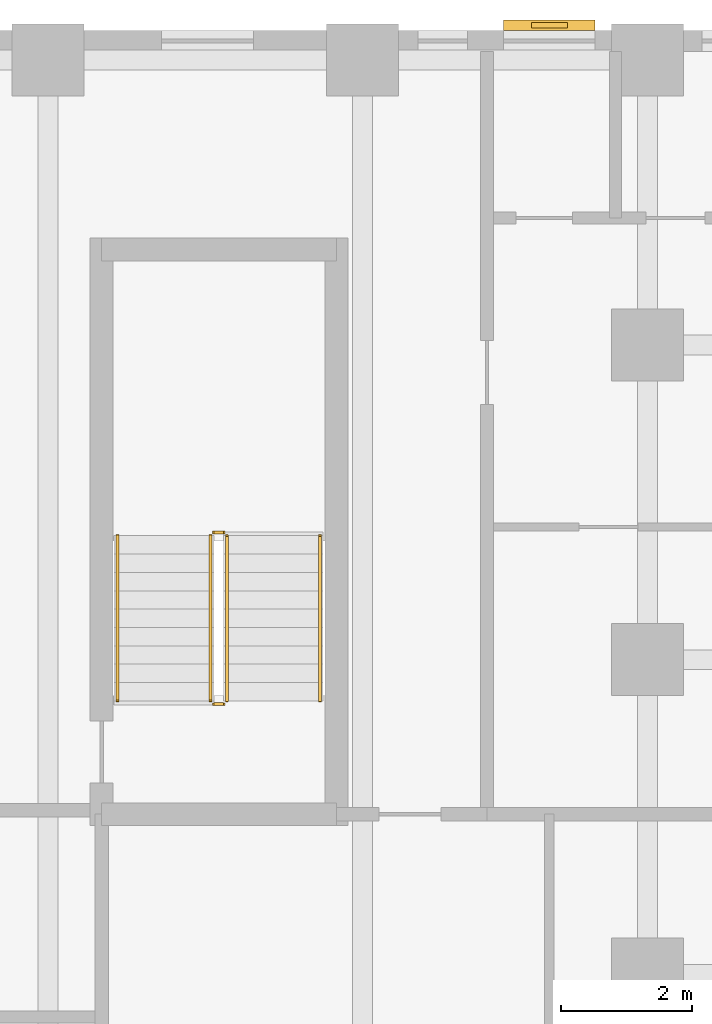
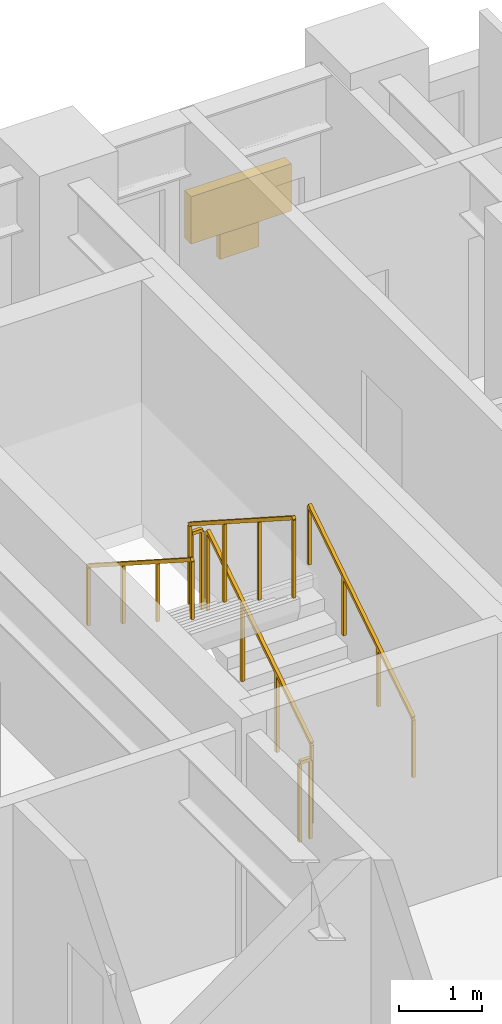
# One storey, part 11 of 11: 6 railings, 2 shading devices.
"""IFC4 building model written with IfcOpenShell, lengths in metres."""

from ifc_helpers import new_model, si_unit, direction, frame, origin, origin_2d, place, context, subcontext, project, spatial, rectangle, extrude, material, type_object, element, save


model = new_model("IFC4")

# Units and contexts
model_context = context("Model", 3, precision=1e-05, world=origin(), true_north=direction((0.0, 1.0)))
body_context = subcontext(model_context, "Body", "Model", "MODEL_VIEW")
ifc_project = project(units=[si_unit("LENGTHUNIT", "METRE"), si_unit("AREAUNIT", "SQUARE_METRE"), si_unit("VOLUMEUNIT", "CUBIC_METRE"), si_unit("PLANEANGLEUNIT", "RADIAN"), si_unit("MASSUNIT", "GRAM", prefix="KILO")], contexts=[model_context])

# Site, building, storey
site_placement = place(None, origin())
site = spatial("IfcSite", under=ifc_project, at=site_placement, CompositionType="ELEMENT")
building_placement = place(site_placement, origin())
building = spatial("IfcBuilding", under=site, at=building_placement, Name="Orvandelia Arch Residences", CompositionType="ELEMENT")
storey_placement = place(building_placement, frame((0.0, 0.0, 50.199951171875)))
storey = spatial("IfcBuildingStorey", under=building, at=storey_placement, Name="L12", CompositionType="ELEMENT", Elevation=50.199951171875)

# Railings
ifc_material_1 = material(Name="Brushed Stainless Steel 304", Category="steel")
railing_type_1 = type_object("IfcRailingType", Name="RL-STAIR-GD1120", PredefinedType="GUARDRAIL", material=ifc_material_1)
railing_1_placement = place(storey_placement, frame((45.929931640625, 37.77001953125, 0.179931640625)))
element("IfcRailing", 1, at=railing_1_placement, inside=storey, type_object=railing_type_1, Name="L12 ST-3 stair guard 1", PredefinedType="GUARDRAIL", context=body_context, shape_type="SweptSolid", body=[
    extrude(rectangle(XDim=0.048095703125, YDim=0.048095703125, at=origin_2d()), frame((0.0, 0.0, 1.17578125), z_axis=(0.0, 0.841162588446, 0.540782303519), x_axis=(-1.0, 0.0, 0.0)), (0.0, 0.0, 1.0), 2.995849609375),
    extrude(rectangle(XDim=0.0419921875, YDim=0.0419921875, at=origin_2d()), origin(), (0.0, 0.0, 1.0), 1.15185546875),
    extrude(rectangle(XDim=0.0419921875, YDim=0.0419921875, at=origin_2d()), frame((0.0, 0.840087890625, 0.5400390625)), (0.0, 0.0, 1.0), 1.15185546875),
    extrude(rectangle(XDim=0.0419921875, YDim=0.0419921875, at=origin_2d()), frame((0.0, 1.679931640625, 1.080078125)), (0.0, 0.0, 1.0), 1.15185546875),
    extrude(rectangle(XDim=0.0419921875, YDim=0.0419921875, at=origin_2d()), frame((0.0, 2.52001953125, 1.6201171875)), (0.0, 0.0, 1.0), 1.15185546875),
])
railing_2_placement = place(storey_placement, frame((45.8798828125, 40.340087890625, 1.800048828125)))
element("IfcRailing", 2, at=railing_2_placement, inside=storey, type_object=railing_type_1, Name="L12 ST-3 stair guard 2", PredefinedType="GUARDRAIL", context=body_context, shape_type="SweptSolid", body=[
    extrude(rectangle(XDim=0.048095703125, YDim=0.048095703125, at=origin_2d()), frame((0.0, 0.0, 1.17578125), z_axis=(-1.0, 0.0, 0.0), x_axis=(0.0, -1.0, 0.0)), (0.0, 0.0, 1.0), 0.14990234375),
    extrude(rectangle(XDim=0.0419921875, YDim=0.0419921875, at=origin_2d()), origin(), (0.0, 0.0, 1.0), 1.15185546875),
    extrude(rectangle(XDim=0.0419921875, YDim=0.0419921875, at=origin_2d()), frame((-0.14990234375, 0.0, 0.0)), (0.0, 0.0, 1.0), 1.15185546875),
])
railing_3_placement = place(storey_placement, frame((45.679931640625, 40.2900390625, 1.97998046875)))
element("IfcRailing", 3, at=railing_3_placement, inside=storey, type_object=railing_type_1, Name="L12 ST-3 stair guard 3", PredefinedType="GUARDRAIL", context=body_context, shape_type="SweptSolid", body=[
    extrude(rectangle(XDim=0.048095703125, YDim=0.048095703125, at=origin_2d()), frame((0.0, 0.0, 1.17578125), z_axis=(0.0, -0.841162588446, 0.540782303519), x_axis=(1.0, 0.0, 0.0)), (0.0, 0.0, 1.0), 2.995849609375),
    extrude(rectangle(XDim=0.0419921875, YDim=0.0419921875, at=origin_2d()), origin(), (0.0, 0.0, 1.0), 1.15185546875),
    extrude(rectangle(XDim=0.0419921875, YDim=0.0419921875, at=origin_2d()), frame((0.0, -0.840087890625, 0.5400390625)), (0.0, 0.0, 1.0), 1.15185546875),
    extrude(rectangle(XDim=0.0419921875, YDim=0.0419921875, at=origin_2d()), frame((0.0, -1.679931640625, 1.080078125)), (0.0, 0.0, 1.0), 1.15185546875),
    extrude(rectangle(XDim=0.0419921875, YDim=0.0419921875, at=origin_2d()), frame((0.0, -2.52001953125, 1.6201171875)), (0.0, 0.0, 1.0), 1.15185546875),
])
railing_4_placement = place(storey_placement, frame((45.8798828125, 37.719970703125, 0.0)))
element("IfcRailing", 4, at=railing_4_placement, inside=storey, type_object=railing_type_1, Name="L12 ST-3 stair guard 4", PredefinedType="GUARDRAIL", context=body_context, shape_type="SweptSolid", body=[
    extrude(rectangle(XDim=0.048095703125, YDim=0.048095703125, at=origin_2d()), frame((0.0, 0.0, 1.17578125), z_axis=(-1.0, 0.0, 0.0), x_axis=(0.0, -1.0, 0.0)), (0.0, 0.0, 1.0), 0.14990234375),
    extrude(rectangle(XDim=0.0419921875, YDim=0.0419921875, at=origin_2d()), origin(), (0.0, 0.0, 1.0), 1.15185546875),
    extrude(rectangle(XDim=0.0419921875, YDim=0.0419921875, at=origin_2d()), frame((-0.14990234375, 0.0, 0.0)), (0.0, 0.0, 1.0), 1.15185546875),
])
railing_type_2 = type_object("IfcRailingType", Name="RL-STAIR-HR920", PredefinedType="HANDRAIL", material=ifc_material_1)
railing_5_placement = place(storey_placement, frame((47.35009765625, 37.77001953125, 0.360107421875)))
element("IfcRailing", 5, at=railing_5_placement, inside=storey, type_object=railing_type_2, Name="L12 ST-3 stair handrail 1", PredefinedType="HANDRAIL", context=body_context, shape_type="SweptSolid", body=[
    extrude(rectangle(XDim=0.048095703125, YDim=0.048095703125, at=origin_2d()), frame((0.0, 0.0, 0.8759765625), z_axis=(0.0, 0.841199657755, 0.540724639528), x_axis=(-1.0, 0.0, 0.0)), (0.0, 0.0, 1.0), 2.995849609375),
    extrude(rectangle(XDim=0.0419921875, YDim=0.0419921875, at=origin_2d()), origin(), (0.0, 0.0, 1.0), 0.851806640625),
    extrude(rectangle(XDim=0.0419921875, YDim=0.0419921875, at=origin_2d()), frame((0.0, 0.840087890625, 0.5400390625)), (0.0, 0.0, 1.0), 0.851806640625),
    extrude(rectangle(XDim=0.0419921875, YDim=0.0419921875, at=origin_2d()), frame((0.0, 1.679931640625, 1.079833984375)), (0.0, 0.0, 1.0), 0.851806640625),
    extrude(rectangle(XDim=0.0419921875, YDim=0.0419921875, at=origin_2d()), frame((0.0, 2.52001953125, 1.619873046875)), (0.0, 0.0, 1.0), 0.851806640625),
])
railing_6_placement = place(storey_placement, frame((44.260009765625, 40.2900390625, 2.16015625)))
element("IfcRailing", 6, at=railing_6_placement, inside=storey, type_object=railing_type_2, Name="L12 ST-3 stair handrail 2", PredefinedType="HANDRAIL", context=body_context, shape_type="SweptSolid", body=[
    extrude(rectangle(XDim=0.048095703125, YDim=0.048095703125, at=origin_2d()), frame((0.0, 0.0, 0.8759765625), z_axis=(0.0, -0.841199657755, 0.540724639528), x_axis=(1.0, 0.0, 0.0)), (0.0, 0.0, 1.0), 2.995849609375),
    extrude(rectangle(XDim=0.0419921875, YDim=0.0419921875, at=origin_2d()), origin(), (0.0, 0.0, 1.0), 0.851806640625),
    extrude(rectangle(XDim=0.0419921875, YDim=0.0419921875, at=origin_2d()), frame((0.0, -0.840087890625, 0.5400390625)), (0.0, 0.0, 1.0), 0.851806640625),
    extrude(rectangle(XDim=0.0419921875, YDim=0.0419921875, at=origin_2d()), frame((0.0, -1.679931640625, 1.079833984375)), (0.0, 0.0, 1.0), 0.851806640625),
    extrude(rectangle(XDim=0.0419921875, YDim=0.0419921875, at=origin_2d()), frame((0.0, -2.52001953125, 1.619873046875)), (0.0, 0.0, 1.0), 0.851806640625),
])

# Shading devices
ifc_material_2 = material(Name="Anodised Champagne-Bronze Extruded Aluminium", Category="aluminium")
shading_device_type_1 = type_object("IfcShadingDeviceType", Name="SHD-JALOUSIE-SCREEN", PredefinedType="JALOUSIE", material=ifc_material_2)
shading_device_1_placement = place(storey_placement, frame((50.85009765625, 48.080078125, 1.05029296875), z_axis=(0.0, 0.0, 1.0), x_axis=(1.0, 0.0, 0.0)))
element("IfcShadingDevice", 7, at=shading_device_1_placement, inside=storey, type_object=shading_device_type_1, Name="Bronze Jalousie Sun-Shade L12-003", PredefinedType="JALOUSIE", context=body_context, shape_type="SweptSolid", body=[
    extrude(rectangle(XDim=1.39990234375, YDim=0.159912109375, at=origin_2d()), origin(), (0.0, 0.0, 1.0), 0.699951171875),
])
ifc_material_3 = material(Name="Marine-Grade Perforated Aluminium Storm Shutter", Category="aluminium")
shading_device_type_2 = type_object("IfcShadingDeviceType", Name="SHD-STORM-SHUTTER", PredefinedType="SHUTTER", material=ifc_material_3)
shading_device_2_placement = place(storey_placement, frame((50.85009765625, 48.080078125, 0.64990234375), z_axis=(0.0, 0.0, 1.0), x_axis=(1.0, 0.0, 0.0)))
element("IfcShadingDevice", 8, at=shading_device_2_placement, inside=storey, type_object=shading_device_type_2, Name="Operable Typhoon Storm Shutter L12-003", PredefinedType="SHUTTER", context=body_context, shape_type="SweptSolid", body=[
    extrude(rectangle(XDim=0.550048828125, YDim=0.080078125, at=origin_2d()), origin(), (0.0, 0.0, 1.0), 1.10009765625),
])

save(model, "model.ifc")
